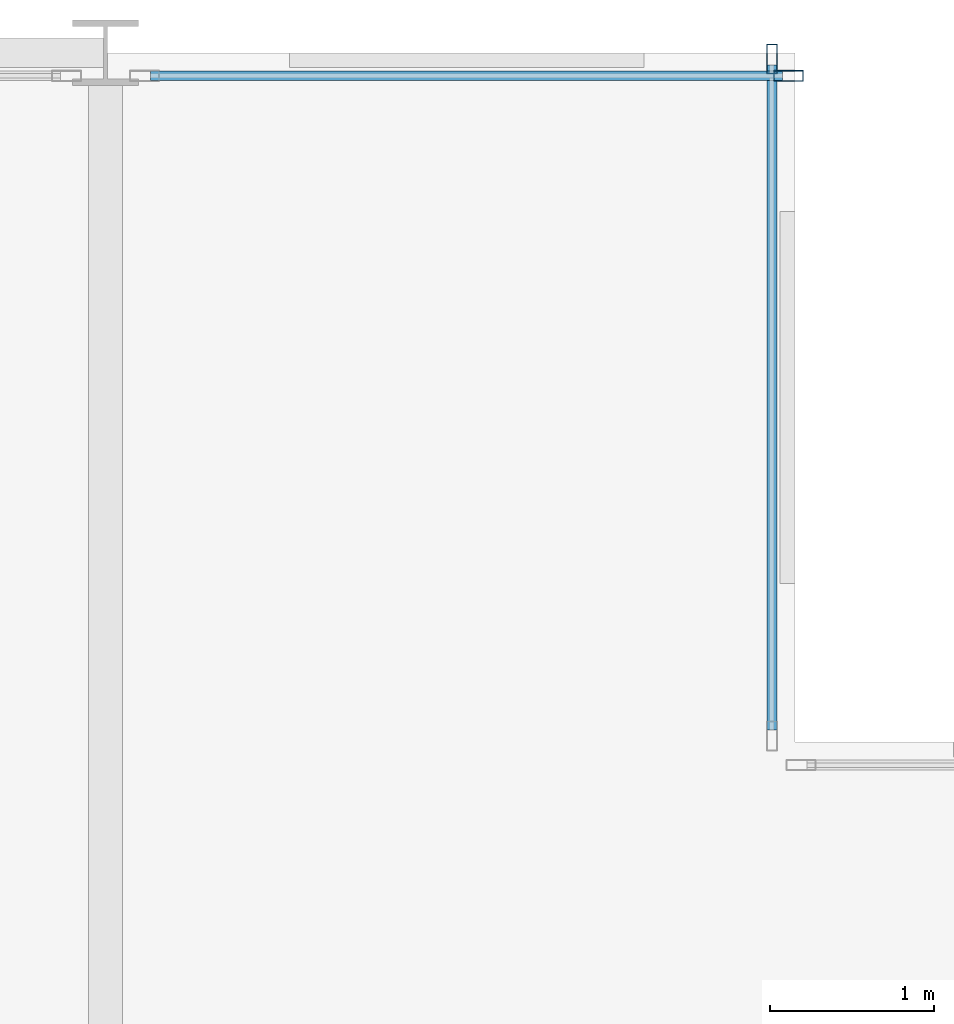
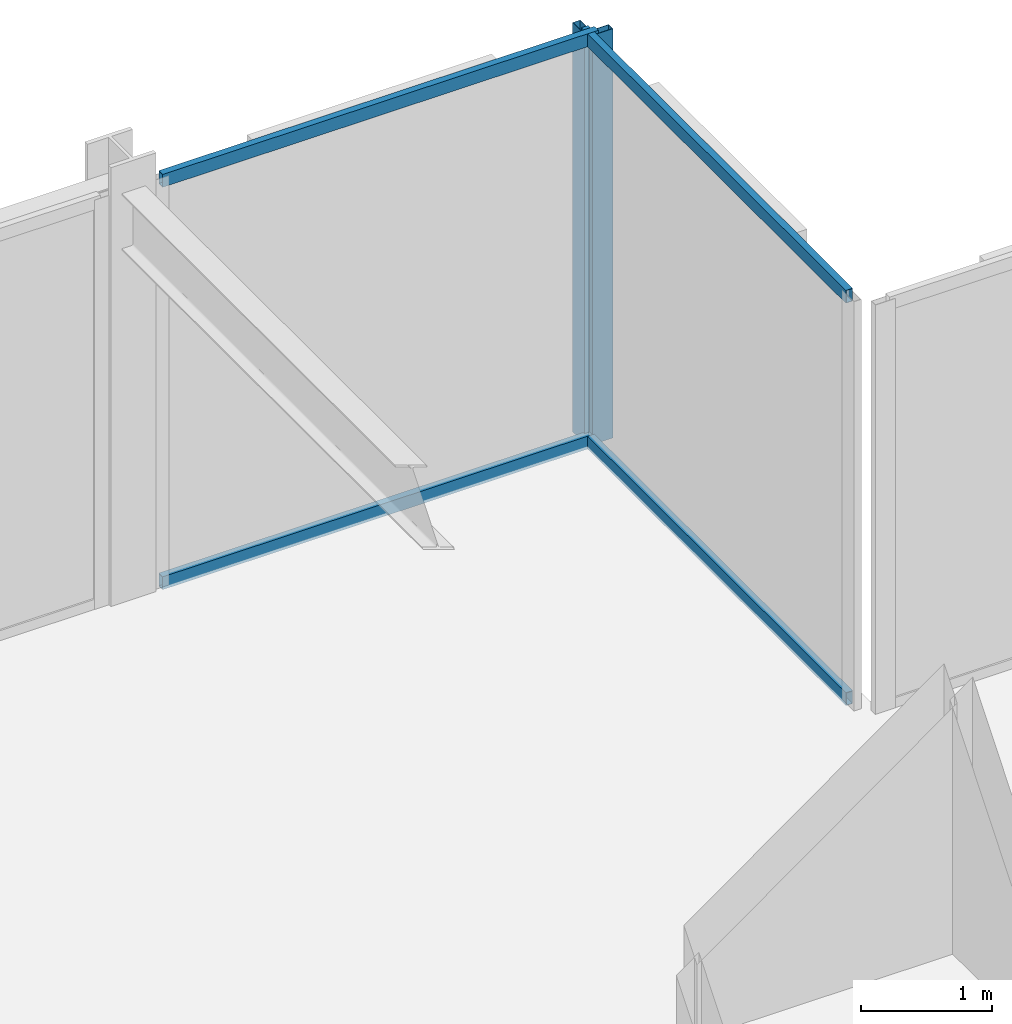
# One storey, part 30 of 38: 6 members, 2 elements without a shape of their own.
"""IFC4 building model written with IfcOpenShell, lengths in metres."""

from ifc_helpers import new_model, si_unit, direction, frame, origin, origin_2d, place, context, subcontext, project, spatial, hollow_rectangle, extrude, material, layer, layer_set, material_profile, profile_set, type_object, element, aggregate, save


model = new_model("IFC4")

# Units and contexts
model_context = context("Model", 3, precision=1e-05, world=origin(), true_north=direction((0.0, 1.0)))
body_context = subcontext(model_context, "Body", "Model", "MODEL_VIEW")
ifc_project = project(units=[si_unit("LENGTHUNIT", "METRE"), si_unit("AREAUNIT", "SQUARE_METRE"), si_unit("VOLUMEUNIT", "CUBIC_METRE"), si_unit("PLANEANGLEUNIT", "RADIAN"), si_unit("MASSUNIT", "GRAM", prefix="KILO")], contexts=[model_context])

# Site, building, storey
site_placement = place(None, origin())
site = spatial("IfcSite", under=ifc_project, at=site_placement, CompositionType="ELEMENT")
building_placement = place(site_placement, origin())
building = spatial("IfcBuilding", under=site, at=building_placement, Name="Nerrivon Quay Data Exchange", CompositionType="ELEMENT")
storey_placement = place(building_placement, frame((0.0, 0.0, 96.699951171875)))
storey = spatial("IfcBuildingStorey", under=building, at=storey_placement, Name="L22", CompositionType="ELEMENT", Elevation=96.699951171875)

# Curtain wall, member
ifc_material = material(Name="Anodised aluminium 6063-T6", Category="aluminium")
ifc_layer = layer(ifc_material, 0.2099609375)
ifc_layer_set = layer_set([ifc_layer], Name="Anodised aluminium 6063-T6")
curtain_wall_type = type_object("IfcCurtainWallType", Name="CW-SYS-02", PredefinedType="NOTDEFINED", material=ifc_layer_set)
curtain_wall_1_placement = place(storey_placement, origin())
curtain_wall_1 = element("IfcCurtainWall", 1, at=curtain_wall_1_placement, inside=storey, type_object=curtain_wall_type, Name="L22 Unitised Curtain Wall 26", PredefinedType="NOTDEFINED")
ifc_material_profile_1 = material_profile(ifc_material, hollow_rectangle(XDim=0.06494140625, YDim=0.179931640625, WallThickness=0.00341796875, at=origin_2d()), Name="ALU-MULL-180x65")
ifc_profile_set_1 = profile_set([ifc_material_profile_1], Name="Anodised aluminium 6063-T6")
member_type_1 = type_object("IfcMemberType", Name="CWM-180x65", PredefinedType="MULLION", material=ifc_profile_set_1)
member_1_placement = place(storey_placement, frame((20.96240234375, 50.260009765625, 0.0), z_axis=(0.0, 0.0, 1.0), x_axis=(0.0, 1.0, 0.0)))
member_1 = element("IfcMember", 2, at=member_1_placement, type_object=member_type_1, Name="CW02 mullion 2", PredefinedType="MULLION", context=body_context, shape_type="SweptSolid", body=[
    extrude(hollow_rectangle(XDim=0.06494140625, YDim=0.179931640625, WallThickness=0.00341796875, at=origin_2d()), origin(), (0.0, 0.0, 1.0), 3.824951171875),
])

curtain_wall_2_placement = place(storey_placement, origin())
curtain_wall_2 = element("IfcCurtainWall", 3, at=curtain_wall_2_placement, inside=storey, type_object=curtain_wall_type, Name="L22 Unitised Curtain Wall 27", PredefinedType="NOTDEFINED")
member_2_placement = place(storey_placement, frame((20.860107421875, 50.362548828125, 0.0), z_axis=(0.0, 0.0, 1.0), x_axis=(1.0, 0.0, 0.0)))
member_2 = element("IfcMember", 4, at=member_2_placement, type_object=member_type_1, Name="CW02 mullion 1", PredefinedType="MULLION", context=body_context, shape_type="SweptSolid", body=[
    extrude(hollow_rectangle(XDim=0.06494140625, YDim=0.179931640625, WallThickness=0.00341796875, at=origin_2d()), origin(), (0.0, 0.0, 1.0), 3.824951171875),
])

# Member
ifc_material_profile_2 = material_profile(ifc_material, hollow_rectangle(XDim=0.06005859375, YDim=0.1201171875, WallThickness=0.003173828125, at=origin_2d()), Name="ALU-TRAN-120x60")
ifc_profile_set_2 = profile_set([ifc_material_profile_2], Name="Anodised aluminium 6063-T6")
member_type_2 = type_object("IfcMemberType", Name="CWT-120x60", PredefinedType="USERDEFINED", material=ifc_profile_set_2)
member_3_placement = place(storey_placement, frame((17.074951171875, 50.260009765625, 0.032470703125), z_axis=(1.0, 0.0, 0.0), x_axis=(0.0, 1.0, 0.0)))
member_3 = element("IfcMember", 5, at=member_3_placement, type_object=member_type_2, Name="CW02 transom 1.1", ObjectType="TRANSOM", PredefinedType="USERDEFINED", context=body_context, shape_type="SweptSolid", body=[
    extrude(hollow_rectangle(XDim=0.06005859375, YDim=0.1201171875, WallThickness=0.003173828125, at=origin_2d()), origin(), (0.0, 0.0, 1.0), 3.85009765625),
])

member_4_placement = place(storey_placement, frame((17.074951171875, 50.260009765625, 3.79248046875), z_axis=(1.0, 0.0, 0.0), x_axis=(0.0, 1.0, 0.0)))
member_4 = element("IfcMember", 6, at=member_4_placement, type_object=member_type_2, Name="CW02 transom 1.2", ObjectType="TRANSOM", PredefinedType="USERDEFINED", context=body_context, shape_type="SweptSolid", body=[
    extrude(hollow_rectangle(XDim=0.06005859375, YDim=0.1201171875, WallThickness=0.003173828125, at=origin_2d()), origin(), (0.0, 0.0, 1.0), 3.85009765625),
])

aggregate(curtain_wall_1, [member_1, member_3, member_4])

member_5_placement = place(storey_placement, frame((20.860107421875, 50.324951171875, 0.032470703125), z_axis=(0.0, -1.0, 0.0), x_axis=(1.0, 0.0, 0.0)))
member_5 = element("IfcMember", 7, at=member_5_placement, type_object=member_type_2, Name="CW02 transom 1.1", ObjectType="TRANSOM", PredefinedType="USERDEFINED", context=body_context, shape_type="SweptSolid", body=[
    extrude(hollow_rectangle(XDim=0.06005859375, YDim=0.1201171875, WallThickness=0.003173828125, at=origin_2d()), origin(), (0.0, 0.0, 1.0), 4.050048828125),
])

member_6_placement = place(storey_placement, frame((20.860107421875, 50.324951171875, 3.79248046875), z_axis=(0.0, -1.0, 0.0), x_axis=(1.0, 0.0, 0.0)))
member_6 = element("IfcMember", 8, at=member_6_placement, type_object=member_type_2, Name="CW02 transom 1.2", ObjectType="TRANSOM", PredefinedType="USERDEFINED", context=body_context, shape_type="SweptSolid", body=[
    extrude(hollow_rectangle(XDim=0.06005859375, YDim=0.1201171875, WallThickness=0.003173828125, at=origin_2d()), origin(), (0.0, 0.0, 1.0), 4.050048828125),
])

aggregate(curtain_wall_2, [member_2, member_5, member_6])

save(model, "model.ifc")
